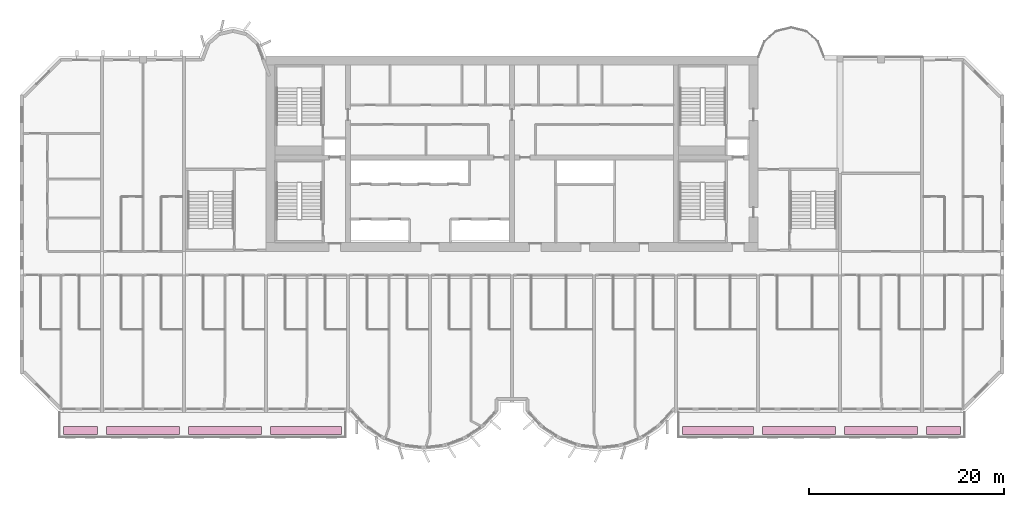
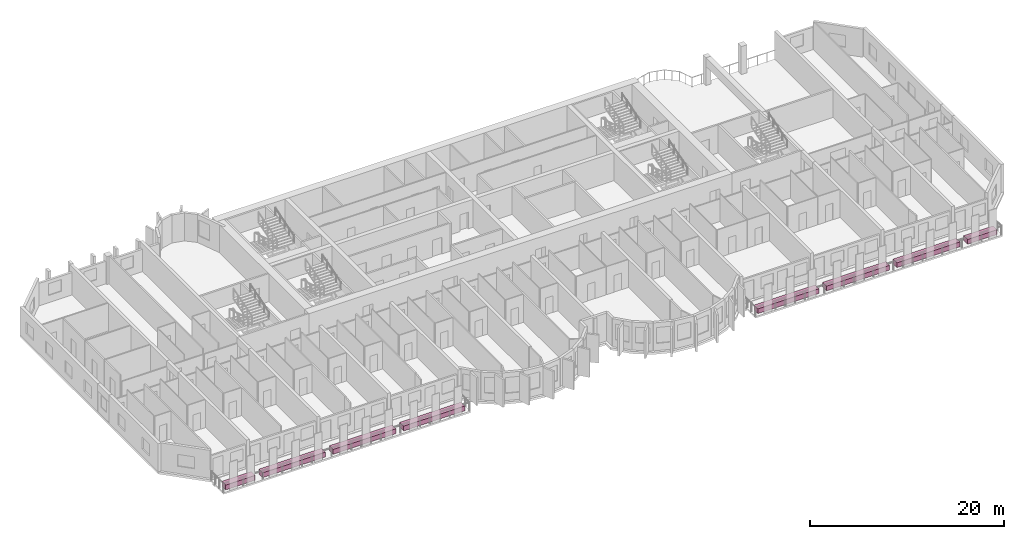
# One storey, part 15 of 15: 8 furniture elements.
"""IFC4 building model written with IfcOpenShell, lengths in metres."""

import ifcopenshell
import ifcopenshell.guid

model = None  # the IFC model being written
_history = None  # IfcOwnerHistory: only IFC2X3 demands one
_inside = {}  # id of a spatial element -> (the spatial element, [elements in it])
_under = {}  # id of a project, library or spatial element -> (it, [spatial elements below it])
_declared = {}  # id of a project -> (the project, [libraries it declares])
_typed = {}  # id of a type object -> (the type object, [elements of that type])
_made_of = {}  # id of a material, layer set ... -> (it, [elements and type objects made of it])


def new_model(schema):
    """Start an empty IFC model of exactly this schema.

    Asked for "IFC4X3", IfcOpenShell would pick the latest addendum, in which some entities
    have other attributes; the version numbers below select the first issue.
    IFC2X3 requires an IfcOwnerHistory on every rooted entity: one is made here for all.
    """
    global model, _history
    if schema == "IFC4X3":
        model = ifcopenshell.file(schema_version=(4, 3, 0, 0))
    else:
        model = ifcopenshell.file(schema=schema)
    _inside.clear()
    _under.clear()
    _declared.clear()
    _typed.clear()
    _made_of.clear()
    _history = None
    if model.schema == "IFC2X3":
        org = make("IfcOrganization", Name="unknown")
        user = make(
            "IfcPersonAndOrganization",
            ThePerson=make("IfcPerson", FamilyName="unknown"),
            TheOrganization=org,
        )
        app = make(
            "IfcApplication",
            ApplicationDeveloper=org,
            Version="unknown",
            ApplicationFullName="unknown",
            ApplicationIdentifier="unknown",
        )
        _history = make(
            "IfcOwnerHistory",
            OwningUser=user,
            OwningApplication=app,
            ChangeAction="ADDED",
            CreationDate=0,
        )
    return model


def make(cls, **values):
    """One entity of the class cls with the attributes given. An attribute that is None is left unset."""
    return model.create_entity(
        cls, **{name: value for name, value in values.items() if value is not None}
    )


def rooted(cls, **values):
    """An entity with a GlobalId (a new one), such as an element, a storey or a relation."""
    return make(cls, GlobalId=ifcopenshell.guid.new(), OwnerHistory=_history, **values)


def si_unit(unit_type, name, prefix=None):
    """IfcSIUnit, for example si_unit("LENGTHUNIT", "METRE", prefix="MILLI")."""
    return make("IfcSIUnit", UnitType=unit_type, Prefix=prefix, Name=name)


def assignment(units):
    """IfcUnitAssignment: the units of a project."""
    return None if units is None else make("IfcUnitAssignment", Units=units)


def point(xyz):
    """IfcCartesianPoint."""
    return None if xyz is None else make("IfcCartesianPoint", Coordinates=xyz)


def direction(xyz):
    """IfcDirection."""
    return None if xyz is None else make("IfcDirection", DirectionRatios=xyz)


def frame(location, z_axis=None, x_axis=None):
    """IfcAxis2Placement3D, a coordinate frame: its origin and axes. An axis left out is left unset."""
    return make(
        "IfcAxis2Placement3D",
        Location=point(location),
        Axis=direction(z_axis),
        RefDirection=direction(x_axis),
    )


def frame_2d(location, x_axis=None):
    """IfcAxis2Placement2D, a coordinate frame in the plane: its origin and x axis."""
    return make(
        "IfcAxis2Placement2D", Location=point(location), RefDirection=direction(x_axis)
    )


def origin():
    """The frame at (0, 0, 0) with its axes left unset."""
    return frame((0.0, 0.0, 0.0))


def origin_2d():
    """The frame at (0, 0) in the plane with its x axis left unset."""
    return frame_2d((0.0, 0.0))


def place(relative_to, where):
    """IfcLocalPlacement: puts the frame where relative to a parent placement (None: the world)."""
    return make(
        "IfcLocalPlacement", PlacementRelTo=relative_to, RelativePlacement=where
    )


def context(
    kind, dimensions, precision=None, world=None, true_north=None, identifier=None
):
    """IfcGeometricRepresentationContext, for example the 3D "Model" context."""
    return make(
        "IfcGeometricRepresentationContext",
        ContextIdentifier=identifier,
        ContextType=kind,
        CoordinateSpaceDimension=dimensions,
        Precision=precision,
        WorldCoordinateSystem=world,
        TrueNorth=true_north,
    )


def subcontext(parent, identifier, kind, view, scale=None):
    """IfcGeometricRepresentationSubContext, for example "Body" below "Model"."""
    return make(
        "IfcGeometricRepresentationSubContext",
        ContextIdentifier=identifier,
        ContextType=kind,
        ParentContext=parent,
        TargetScale=scale,
        TargetView=view,
    )


def project(units=None, contexts=None):
    """IfcProject with its units and contexts."""
    return rooted(
        "IfcProject",
        Name="project",
        RepresentationContexts=contexts,
        UnitsInContext=assignment(units),
    )


def spatial(cls, under=None, at=None, **own):
    """A site, building, storey or space (cls), placed at a placement, below another one or the project."""
    s = rooted(cls, ObjectPlacement=at, **own)
    if under is not None:
        _under.setdefault(under.id(), (under, []))[1].append(s)
    return s


def profile(cls, at=None, kind="AREA", **sizes):
    """A parametric profile (cls). Its sizes go by their IFC names, for example OverallWidth=200.0."""
    return make(cls, ProfileType=kind, Position=at, **sizes)


def rectangle(**sizes):
    """IfcRectangleProfileDef."""
    return profile("IfcRectangleProfileDef", **sizes)


def extrude(swept, where, along, depth):
    """IfcExtrudedAreaSolid: the profile swept, set in the frame where, extruded along a direction by depth."""
    return make(
        "IfcExtrudedAreaSolid",
        SweptArea=swept,
        Position=where,
        ExtrudedDirection=direction(along),
        Depth=depth,
    )


def shape(context_of_items, identifier, shape_type, items):
    """IfcShapeRepresentation: the items that make up one representation, for example the "Body"."""
    return make(
        "IfcShapeRepresentation",
        ContextOfItems=context_of_items,
        RepresentationIdentifier=identifier,
        RepresentationType=shape_type,
        Items=items,
    )


def source(mapping_origin, context_of_items, identifier, shape_type, items):
    """IfcRepresentationMap: a shape defined once, which mapped items show again and again."""
    return make(
        "IfcRepresentationMap",
        MappingOrigin=mapping_origin,
        MappedRepresentation=shape(context_of_items, identifier, shape_type, items),
    )


def transform(
    local_origin,
    x_axis=None,
    y_axis=None,
    z_axis=None,
    scale=None,
    scale2=None,
    scale3=None,
    uniform=True,
):
    """IfcCartesianTransformationOperator3D, or its non-uniform kind. x_axis, y_axis, z_axis: its Axis1, 2, 3."""
    if uniform:
        return make(
            "IfcCartesianTransformationOperator3D",
            Axis1=direction(x_axis),
            Axis2=direction(y_axis),
            LocalOrigin=point(local_origin),
            Scale=scale,
            Axis3=direction(z_axis),
        )
    return make(
        "IfcCartesianTransformationOperator3DnonUniform",
        Axis1=direction(x_axis),
        Axis2=direction(y_axis),
        LocalOrigin=point(local_origin),
        Scale=scale,
        Axis3=direction(z_axis),
        Scale2=scale2,
        Scale3=scale3,
    )


def mapped(mapping_source, mapping_target):
    """IfcMappedItem: shows the shape of a source again, moved by a transform."""
    return make(
        "IfcMappedItem", MappingSource=mapping_source, MappingTarget=mapping_target
    )


def material(Name=None, Category=None):
    """IfcMaterial."""
    return make("IfcMaterial", Name=Name, Category=Category)


def made_of(thing, what):
    """Note that an element or type object is made of a material, layer set ...; save() writes the relation."""
    if what is not None:
        _made_of.setdefault(what.id(), (what, []))[1].append(thing)
    return thing


def type_object(cls, material=None, **own):
    """A type object (cls), such as IfcWallType, which elements share."""
    return made_of(rooted(cls, **own), material)


def element(
    cls,
    number,
    at=None,
    inside=None,
    cuts=None,
    type_object=None,
    material=None,
    context=None,
    identifier="Body",
    shape_type=None,
    held_by="IfcProductDefinitionShape",
    body=None,
    shapes=None,
    **own,
):
    """One element of the class cls, such as IfcWall. Its Tag is "e" and its number.

    at: its placement. inside: the storey or other place that contains it. cuts: it is an
    opening in that element (IfcRelVoidsElement). A single representation is given by context,
    identifier, shape_type and body (its items); several are given by shapes. held_by: the class
    of the entity that holds the representations. save() writes the other relations.
    """
    e = rooted(cls, Tag="e%d" % number, ObjectPlacement=at, **own)
    if body is not None:
        shapes = [shape(context, identifier, shape_type, body)]
    if shapes is not None:
        e.Representation = make(held_by, Representations=shapes)
    if inside is not None:
        _inside.setdefault(inside.id(), (inside, []))[1].append(e)
    if cuts is not None:
        rooted(
            "IfcRelVoidsElement", RelatingBuildingElement=cuts, RelatedOpeningElement=e
        )
    if type_object is not None:
        _typed.setdefault(type_object.id(), (type_object, []))[1].append(e)
    return made_of(e, material)


def aggregate(whole, parts):
    """IfcRelAggregates: a whole, such as a stair, and the parts it consists of."""
    return rooted("IfcRelAggregates", RelatingObject=whole, RelatedObjects=parts)


def save(model, path):
    """Write the relations noted so far, then the file.

    IfcRelAggregates (storeys below a building ...), IfcRelContainedInSpatialStructure (elements
    in a storey), IfcRelDefinesByType, IfcRelAssociatesMaterial and IfcRelDeclares: one each for
    every whole, place, type object, material and project.
    """
    for whole, parts in _under.values():
        aggregate(whole, parts)
    for where, things in _inside.values():
        rooted(
            "IfcRelContainedInSpatialStructure",
            RelatedElements=things,
            RelatingStructure=where,
        )
    for kind, things in _typed.values():
        rooted("IfcRelDefinesByType", RelatedObjects=things, RelatingType=kind)
    for what, things in _made_of.values():
        rooted("IfcRelAssociatesMaterial", RelatedObjects=things, RelatingMaterial=what)
    for by, libraries in _declared.values():
        rooted("IfcRelDeclares", RelatingContext=by, RelatedDefinitions=libraries)
    model.write(path)


model = new_model("IFC4")

# Units and contexts
model_context = context("Model", 3, precision=1e-05, world=origin(), true_north=direction((0.0, 1.0)))
body_context = subcontext(model_context, "Body", "Model", "MODEL_VIEW")
ifc_project = project(units=[si_unit("LENGTHUNIT", "METRE"), si_unit("AREAUNIT", "SQUARE_METRE"), si_unit("VOLUMEUNIT", "CUBIC_METRE"), si_unit("PLANEANGLEUNIT", "RADIAN"), si_unit("MASSUNIT", "GRAM", prefix="KILO")], contexts=[model_context])

# Site, building, storey
site_placement = place(None, origin())
site = spatial("IfcSite", under=ifc_project, at=site_placement, CompositionType="ELEMENT")
building_placement = place(site_placement, origin())
building = spatial("IfcBuilding", under=site, at=building_placement, Name="Vanashikhar Sky Hotel", CompositionType="ELEMENT")
storey_placement = place(building_placement, frame((0.0, 0.0, 106.60009765625)))
storey = spatial("IfcBuildingStorey", under=building, at=storey_placement, Name="L25", CompositionType="ELEMENT", Elevation=106.60009765625)

# Furniture
ifc_material = material(Name="Planting soil and shrubs")
furniture_type = type_object("IfcFurnitureType", Name="Planter trough", AssemblyPlace="NOTDEFINED", PredefinedType="USERDEFINED", material=ifc_material)
shared_shape_1 = source(origin(), body_context, "Body", "SweptSolid", [
    extrude(rectangle(XDim=3.5, YDim=0.800048828125, at=origin_2d()), origin(), (0.0, 0.0, 1.0), 0.60009765625),
])
for number, where, z_axis, x_axis, name in (
    (1, (6.199951171875, 3.64990234375, -0.050048828125), (0.0, 0.0, 1.0), (1.0, 0.0, 0.0), "PLANTER with climbers"),
    (2, (94.60009765625, 3.64990234375, -0.050048828125), (0.0, 0.0, 1.0), (1.0, 0.0, 0.0), "PLANTER with climbers"),
):
    element("IfcFurniture", number, at=place(storey_placement, frame(where, z_axis=z_axis, x_axis=x_axis)), inside=storey, type_object=furniture_type, Name=name, ObjectType="PLANTER", PredefinedType="USERDEFINED", context=body_context, shape_type="MappedRepresentation", body=[
        mapped(shared_shape_1, transform((0.0, 0.0, 0.0), scale=1.0)),
    ])
shared_shape_2 = source(origin(), body_context, "Body", "SweptSolid", [
    extrude(rectangle(XDim=7.5, YDim=0.800048828125, at=origin_2d()), origin(), (0.0, 0.0, 1.0), 0.60009765625),
])
for number, where, z_axis, x_axis, name in (
    (3, (12.60009765625, 3.64990234375, -0.050048828125), (0.0, 0.0, 1.0), (1.0, 0.0, 0.0), "PLANTER with climbers"),
    (4, (21.0, 3.64990234375, -0.050048828125), (0.0, 0.0, 1.0), (1.0, 0.0, 0.0), "PLANTER with climbers"),
    (5, (79.800048828125, 3.64990234375, -0.050048828125), (0.0, 0.0, 1.0), (1.0, 0.0, 0.0), "PLANTER with climbers"),
    (6, (88.199951171875, 3.64990234375, -0.050048828125), (0.0, 0.0, 1.0), (1.0, 0.0, 0.0), "PLANTER with climbers"),
):
    element("IfcFurniture", number, at=place(storey_placement, frame(where, z_axis=z_axis, x_axis=x_axis)), inside=storey, type_object=furniture_type, Name=name, ObjectType="PLANTER", PredefinedType="USERDEFINED", context=body_context, shape_type="MappedRepresentation", body=[
        mapped(shared_shape_2, transform((0.0, 0.0, 0.0), scale=1.0)),
    ])
shared_shape_3 = source(origin(), body_context, "Body", "SweptSolid", [
    extrude(rectangle(XDim=7.300048828125, YDim=0.800048828125, at=origin_2d()), origin(), (0.0, 0.0, 1.0), 0.60009765625),
])
for number, where, z_axis, x_axis, name in (
    (7, (29.300048828125, 3.64990234375, -0.050048828125), (0.0, 0.0, 1.0), (1.0, 0.0, 0.0), "PLANTER with climbers"),
    (8, (71.5, 3.64990234375, -0.050048828125), (0.0, 0.0, 1.0), (1.0, 0.0, 0.0), "PLANTER with climbers"),
):
    element("IfcFurniture", number, at=place(storey_placement, frame(where, z_axis=z_axis, x_axis=x_axis)), inside=storey, type_object=furniture_type, Name=name, ObjectType="PLANTER", PredefinedType="USERDEFINED", context=body_context, shape_type="MappedRepresentation", body=[
        mapped(shared_shape_3, transform((0.0, 0.0, 0.0), scale=1.0)),
    ])

save(model, "model.ifc")
